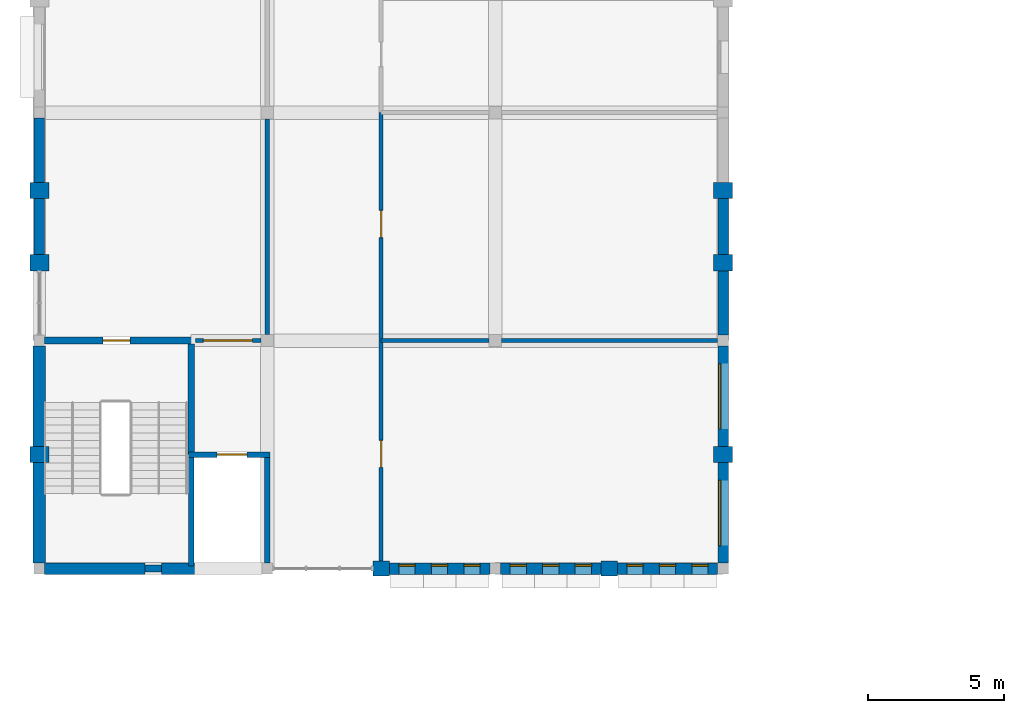
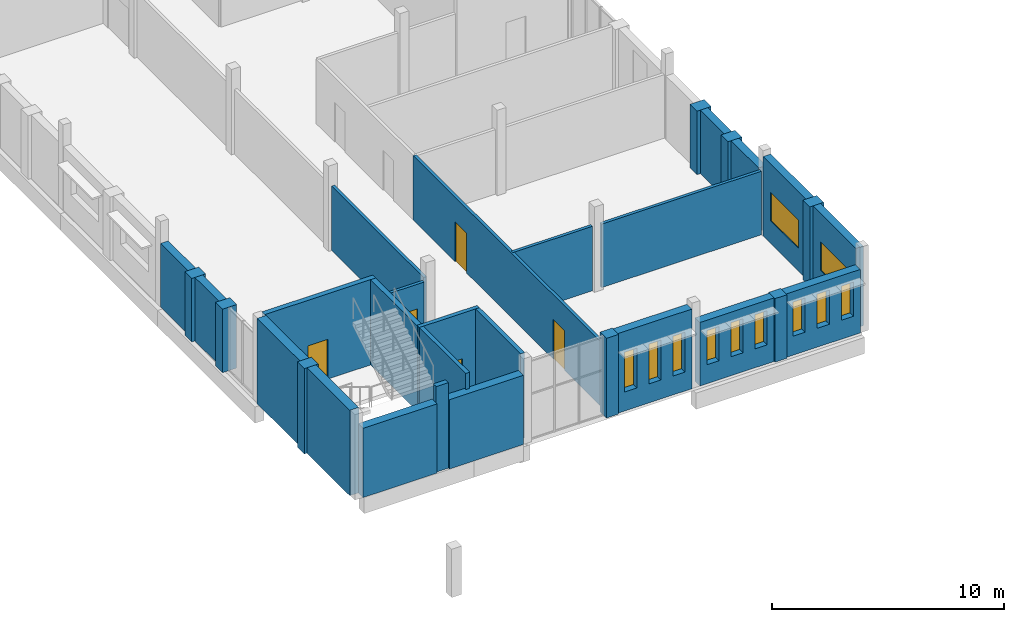
# One storey, part 18 of 30: 32 walls, 11 windows, 5 doors, 16 openings.
"""IFC4 building model written with IfcOpenShell, lengths in metres."""

from ifc_helpers import new_model, si_unit, direction, frame, frame_2d, origin, place, context, subcontext, project, spatial, rectangle, extrude, material, layer, layer_set, type_object, element, fill, save


model = new_model("IFC4")

# Units and contexts
model_context = context("Model", 3, precision=1e-05, world=origin(), true_north=direction((0.0, 1.0)))
body_context = subcontext(model_context, "Body", "Model", "MODEL_VIEW")
ifc_project = project(units=[si_unit("LENGTHUNIT", "METRE"), si_unit("AREAUNIT", "SQUARE_METRE"), si_unit("VOLUMEUNIT", "CUBIC_METRE"), si_unit("PLANEANGLEUNIT", "RADIAN"), si_unit("MASSUNIT", "GRAM", prefix="KILO")], contexts=[model_context])

# Site, building, storey
site_placement = place(None, origin())
site = spatial("IfcSite", under=ifc_project, at=site_placement, CompositionType="ELEMENT")
building_placement = place(site_placement, origin())
building = spatial("IfcBuilding", under=site, at=building_placement, Name="Fescue Hill Polytechnic", CompositionType="ELEMENT")
storey_placement = place(building_placement, frame((0.0, 0.0, 22.5)))
storey = spatial("IfcBuildingStorey", under=building, at=storey_placement, Name="L05", CompositionType="ELEMENT", Elevation=22.5)

# Walls
ifc_material_1 = material(Name="Clay brick masonry", Category="masonry")
ifc_layer_1 = layer(ifc_material_1, 0.550048828125)
ifc_layer_set_1 = layer_set([ifc_layer_1], Name="Clay brick masonry")
wall_type_1 = type_object("IfcWallType", Name="Brick pier 600x550", PredefinedType="SOLIDWALL", material=ifc_layer_set_1)
wall_1_placement = place(storey_placement, frame((12.300048828125, 50.39990234375, 0.0), z_axis=(0.0, 0.0, 1.0), x_axis=(1.0, 0.0, 0.0)))
element("IfcWall", 1, at=wall_1_placement, inside=storey, type_object=wall_type_1, Name="PR-L05-V4-24", PredefinedType="SOLIDWALL", context=body_context, shape_type="SweptSolid", body=[
    extrude(rectangle(XDim=0.599853515625, YDim=0.550048828125, at=frame_2d((0.2998046875, 0.0))), origin(), (0.0, 0.0, 1.0), 4.199951171875),
])
wall_2_placement = place(storey_placement, frame((20.699951171875, 50.39990234375, 0.0), z_axis=(0.0, 0.0, 1.0), x_axis=(1.0, 0.0, 0.0)))
element("IfcWall", 2, at=wall_2_placement, inside=storey, type_object=wall_type_1, Name="PR-L05-V4-25", PredefinedType="SOLIDWALL", context=body_context, shape_type="SweptSolid", body=[
    extrude(rectangle(XDim=0.60009765625, YDim=0.550048828125, at=frame_2d((0.300048828125, 0.0))), origin(), (0.0, 0.0, 1.0), 3.35009765625),
])

# Wall, opening, door
ifc_material_2 = material(Name="Concrete 40 MPa", Category="concrete")
ifc_layer_2 = layer(ifc_material_2, 0.25)
ifc_layer_set_2 = layer_set([ifc_layer_2], Name="Concrete 40 MPa")
wall_type_2 = type_object("IfcWallType", Name="Core wall 250", PredefinedType="SHEAR", material=ifc_layer_set_2)
wall_3_placement = place(storey_placement, frame((0.199951171875, 58.800048828125, 0.0), z_axis=(0.0, 0.0, 1.0), x_axis=(1.0, 0.0, 0.0)))
wall_3 = element("IfcWall", 3, at=wall_3_placement, inside=storey, type_object=wall_type_2, Name="CW-L05-ST-V4-1-21", PredefinedType="SHEAR", context=body_context, shape_type="SweptSolid", body=[
    extrude(rectangle(XDim=5.525146484375, YDim=0.25, at=frame_2d((2.7626953125, 0.0))), origin(), (0.0, 0.0, 1.0), 4.5),
])
opening_1_placement = place(wall_3_placement, frame((2.14990234375, 0.0, 0.0)))
opening_1 = element("IfcOpeningElement", 4, at=opening_1_placement, cuts=wall_3, Name="Opening D5040", PredefinedType="OPENING", context=body_context, shape_type="SweptSolid", body=[
    extrude(rectangle(XDim=1.0, YDim=2.10009765625, at=frame_2d((0.5, 1.050048828125))), frame((0.0, 0.135009765625, 0.0), z_axis=(0.0, -1.0, 0.0), x_axis=(1.0, 0.0, 0.0)), (0.0, 0.0, 1.0), 0.27001953125),
])
ifc_material_3 = material(Name="Steel fire door", Category="steel")
door_type_1 = type_object("IfcDoorType", Name="Door single swing 1000x2100 stair fire rated", OperationType="NOTDEFINED", PredefinedType="DOOR", material=ifc_material_3)
door_1_placement = place(opening_1_placement, origin())
door_1 = element("IfcDoor", 5, at=door_1_placement, inside=storey, type_object=door_type_1, Name="L05 ST-V4-1 stair door", OperationType="SINGLE_SWING_RIGHT", OverallHeight=2.10009765625, OverallWidth=1.0, PredefinedType="DOOR", context=body_context, shape_type="SweptSolid", body=[
    extrude(rectangle(XDim=1.0, YDim=2.10009765625, at=frame_2d((0.5, 1.050048828125))), frame((0.0, 0.02490234375, 0.0), z_axis=(0.0, -1.0, 0.0), x_axis=(1.0, 0.0, 0.0)), (0.0, 0.0, 1.0), 0.050048828125),
])
fill(opening_1, door_1)

# Walls
wall_4_placement = place(storey_placement, frame((5.60009765625, 54.610107421875, 0.0), z_axis=(0.0, 0.0, 1.0), x_axis=(0.0, 1.0, 0.0)))
element("IfcWall", 6, at=wall_4_placement, inside=storey, type_object=wall_type_2, Name="CW-L05-ST-V4-1-41", PredefinedType="SHEAR", context=body_context, shape_type="SweptSolid", body=[
    extrude(rectangle(XDim=4.06494140625, YDim=0.25, at=frame_2d((2.032470703125, 0.0))), origin(), (0.0, 0.0, 1.0), 4.5),
])
wall_5_placement = place(storey_placement, frame((3.89990234375, 50.39990234375, 0.0), z_axis=(0.0, 0.0, 1.0), x_axis=(1.0, 0.0, 0.0)))
element("IfcWall", 7, at=wall_5_placement, inside=storey, type_object=wall_type_2, Name="SCW-L05-ST-V4-1-s1", PredefinedType="SHEAR", context=body_context, shape_type="SweptSolid", body=[
    extrude(rectangle(XDim=0.60009765625, YDim=0.25, at=frame_2d((0.300048828125, 0.0))), origin(), (0.0, 0.0, 1.0), 4.5),
])
ifc_layer_3 = layer(ifc_material_2, 0.449951171875)
ifc_layer_set_3 = layer_set([ifc_layer_3], Name="Concrete 40 MPa")
wall_type_3 = type_object("IfcWallType", Name="Exterior wall board-marked concrete 450 load-bearing", PredefinedType="SOLIDWALL", material=ifc_layer_set_3)
wall_6_placement = place(storey_placement, frame((0.0, 58.60009765625, 0.0), z_axis=(0.0, 0.0, 1.0), x_axis=(0.0, -1.0, 0.0)))
element("IfcWall", 8, at=wall_6_placement, inside=storey, type_object=wall_type_3, Name="EW-L05-V4-35", PredefinedType="SOLIDWALL", context=body_context, shape_type="SweptSolid", body=[
    extrude(rectangle(XDim=3.7001953125, YDim=0.449951171875, at=frame_2d((1.85009765625, 0.0))), origin(), (0.0, 0.0, 1.0), 4.5),
])
wall_7_placement = place(storey_placement, frame((0.0, 54.300048828125, 0.0), z_axis=(0.0, 0.0, 1.0), x_axis=(0.0, -1.0, 0.0)))
element("IfcWall", 9, at=wall_7_placement, inside=storey, type_object=wall_type_3, Name="EW-L05-V4-36", PredefinedType="SOLIDWALL", context=body_context, shape_type="SweptSolid", body=[
    extrude(rectangle(XDim=3.699951171875, YDim=0.449951171875, at=frame_2d((1.85009765625, 0.0))), origin(), (0.0, 0.0, 1.0), 4.5),
])

# Wall, openings, windows
ifc_layer_4 = layer(ifc_material_1, 0.419921875)
ifc_layer_set_4 = layer_set([ifc_layer_4], Name="Clay brick masonry")
wall_type_4 = type_object("IfcWallType", Name="Exterior wall buff-red brick cavity 420", PredefinedType="SOLIDWALL", material=ifc_layer_set_4)
wall_8_placement = place(storey_placement, frame((12.89990234375, 50.39990234375, 0.0), z_axis=(0.0, 0.0, 1.0), x_axis=(1.0, 0.0, 0.0)))
wall_8 = element("IfcWall", 10, at=wall_8_placement, inside=storey, type_object=wall_type_4, Name="EW-L05-V4-40", PredefinedType="SOLIDWALL", context=body_context, shape_type="SweptSolid", body=[
    extrude(rectangle(XDim=3.7001953125, YDim=0.419921875, at=frame_2d((1.85009765625, 0.0))), origin(), (0.0, 0.0, 1.0), 4.199951171875),
])
opening_2_placement = place(wall_8_placement, frame((0.35009765625, 0.0, 1.0)))
opening_2 = element("IfcOpeningElement", 11, at=opening_2_placement, cuts=wall_8, Name="Opening W6", PredefinedType="OPENING", context=body_context, shape_type="SweptSolid", body=[
    extrude(rectangle(XDim=0.60009765625, YDim=2.10009765625, at=frame_2d((0.300048828125, 1.050048828125))), frame((0.0, 0.219970703125, 0.0), z_axis=(0.0, -1.0, 0.0), x_axis=(1.0, 0.0, 0.0)), (0.0, 0.0, 1.0), 0.43994140625),
])
opening_3_placement = place(wall_8_placement, frame((1.550048828125, 0.0, 1.0)))
opening_3 = element("IfcOpeningElement", 12, at=opening_3_placement, cuts=wall_8, Name="Opening W6", PredefinedType="OPENING", context=body_context, shape_type="SweptSolid", body=[
    extrude(rectangle(XDim=0.60009765625, YDim=2.10009765625, at=frame_2d((0.300048828125, 1.050048828125))), frame((0.0, 0.219970703125, 0.0), z_axis=(0.0, -1.0, 0.0), x_axis=(1.0, 0.0, 0.0)), (0.0, 0.0, 1.0), 0.43994140625),
])
opening_4_placement = place(wall_8_placement, frame((2.75, 0.0, 1.0)))
opening_4 = element("IfcOpeningElement", 13, at=opening_4_placement, cuts=wall_8, Name="Opening W6", PredefinedType="OPENING", context=body_context, shape_type="SweptSolid", body=[
    extrude(rectangle(XDim=0.60009765625, YDim=2.10009765625, at=frame_2d((0.300048828125, 1.050048828125))), frame((0.0, 0.219970703125, 0.0), z_axis=(0.0, -1.0, 0.0), x_axis=(1.0, 0.0, 0.0)), (0.0, 0.0, 1.0), 0.43994140625),
])
ifc_material_4 = material(Name="Powder-coated aluminium and glass", Category="aluminium")
window_type_1 = type_object("IfcWindowType", Name="Window slot 600x2100", PartitioningType="SINGLE_PANEL", PredefinedType="WINDOW", material=ifc_material_4)
window_1_placement = place(opening_2_placement, origin())
window_1 = element("IfcWindow", 14, at=window_1_placement, inside=storey, type_object=window_type_1, Name="WN-L05-V4-13", OverallHeight=2.10009765625, OverallWidth=0.60009765625, PartitioningType="SINGLE_PANEL", PredefinedType="WINDOW", context=body_context, shape_type="SweptSolid", body=[
    extrude(rectangle(XDim=0.60009765625, YDim=2.10009765625, at=frame_2d((0.300048828125, 1.050048828125))), frame((0.0, 0.150146484375, 0.0), z_axis=(0.0, -1.0, 0.0), x_axis=(1.0, 0.0, 0.0)), (0.0, 0.0, 1.0), 0.06005859375),
])
fill(opening_2, window_1)
window_2_placement = place(opening_3_placement, origin())
window_2 = element("IfcWindow", 15, at=window_2_placement, inside=storey, type_object=window_type_1, Name="WN-L05-V4-14", OverallHeight=2.10009765625, OverallWidth=0.60009765625, PartitioningType="SINGLE_PANEL", PredefinedType="WINDOW", context=body_context, shape_type="SweptSolid", body=[
    extrude(rectangle(XDim=0.60009765625, YDim=2.10009765625, at=frame_2d((0.300048828125, 1.050048828125))), frame((0.0, 0.150146484375, 0.0), z_axis=(0.0, -1.0, 0.0), x_axis=(1.0, 0.0, 0.0)), (0.0, 0.0, 1.0), 0.06005859375),
])
fill(opening_3, window_2)
window_3_placement = place(opening_4_placement, origin())
window_3 = element("IfcWindow", 16, at=window_3_placement, inside=storey, type_object=window_type_1, Name="WN-L05-V4-15", OverallHeight=2.10009765625, OverallWidth=0.60009765625, PartitioningType="SINGLE_PANEL", PredefinedType="WINDOW", context=body_context, shape_type="SweptSolid", body=[
    extrude(rectangle(XDim=0.60009765625, YDim=2.10009765625, at=frame_2d((0.300048828125, 1.050048828125))), frame((0.0, 0.150146484375, 0.0), z_axis=(0.0, -1.0, 0.0), x_axis=(1.0, 0.0, 0.0)), (0.0, 0.0, 1.0), 0.06005859375),
])
fill(opening_4, window_3)

wall_9_placement = place(storey_placement, frame((17.0, 50.39990234375, 0.0), z_axis=(0.0, 0.0, 1.0), x_axis=(1.0, 0.0, 0.0)))
wall_9 = element("IfcWall", 17, at=wall_9_placement, inside=storey, type_object=wall_type_4, Name="EW-L05-V4-41", PredefinedType="SOLIDWALL", context=body_context, shape_type="SweptSolid", body=[
    extrude(rectangle(XDim=3.699951171875, YDim=0.419921875, at=frame_2d((1.85009765625, 0.0))), origin(), (0.0, 0.0, 1.0), 3.35009765625),
])
opening_5_placement = place(wall_9_placement, frame((0.35009765625, 0.0, 1.0)))
opening_5 = element("IfcOpeningElement", 18, at=opening_5_placement, cuts=wall_9, Name="Opening W6R", PredefinedType="OPENING", context=body_context, shape_type="SweptSolid", body=[
    extrude(rectangle(XDim=0.60009765625, YDim=1.800048828125, at=frame_2d((0.300048828125, 0.89990234375))), frame((0.0, 0.219970703125, 0.0), z_axis=(0.0, -1.0, 0.0), x_axis=(1.0, 0.0, 0.0)), (0.0, 0.0, 1.0), 0.43994140625),
])
opening_6_placement = place(wall_9_placement, frame((1.550048828125, 0.0, 1.0)))
opening_6 = element("IfcOpeningElement", 19, at=opening_6_placement, cuts=wall_9, Name="Opening W6R", PredefinedType="OPENING", context=body_context, shape_type="SweptSolid", body=[
    extrude(rectangle(XDim=0.60009765625, YDim=1.800048828125, at=frame_2d((0.300048828125, 0.89990234375))), frame((0.0, 0.219970703125, 0.0), z_axis=(0.0, -1.0, 0.0), x_axis=(1.0, 0.0, 0.0)), (0.0, 0.0, 1.0), 0.43994140625),
])
opening_7_placement = place(wall_9_placement, frame((2.75, 0.0, 1.0)))
opening_7 = element("IfcOpeningElement", 20, at=opening_7_placement, cuts=wall_9, Name="Opening W6R", PredefinedType="OPENING", context=body_context, shape_type="SweptSolid", body=[
    extrude(rectangle(XDim=0.60009765625, YDim=1.800048828125, at=frame_2d((0.300048828125, 0.89990234375))), frame((0.0, 0.219970703125, 0.0), z_axis=(0.0, -1.0, 0.0), x_axis=(1.0, 0.0, 0.0)), (0.0, 0.0, 1.0), 0.43994140625),
])
window_type_2 = type_object("IfcWindowType", Name="Window slot 600x1800", PartitioningType="SINGLE_PANEL", PredefinedType="WINDOW", material=ifc_material_4)
window_4_placement = place(opening_5_placement, origin())
window_4 = element("IfcWindow", 21, at=window_4_placement, inside=storey, type_object=window_type_2, Name="WN-L05-V4-16", OverallHeight=1.800048828125, OverallWidth=0.60009765625, PartitioningType="SINGLE_PANEL", PredefinedType="WINDOW", context=body_context, shape_type="SweptSolid", body=[
    extrude(rectangle(XDim=0.60009765625, YDim=1.800048828125, at=frame_2d((0.300048828125, 0.89990234375))), frame((0.0, 0.150146484375, 0.0), z_axis=(0.0, -1.0, 0.0), x_axis=(1.0, 0.0, 0.0)), (0.0, 0.0, 1.0), 0.06005859375),
])
fill(opening_5, window_4)
window_5_placement = place(opening_6_placement, origin())
window_5 = element("IfcWindow", 22, at=window_5_placement, inside=storey, type_object=window_type_2, Name="WN-L05-V4-17", OverallHeight=1.800048828125, OverallWidth=0.60009765625, PartitioningType="SINGLE_PANEL", PredefinedType="WINDOW", context=body_context, shape_type="SweptSolid", body=[
    extrude(rectangle(XDim=0.60009765625, YDim=1.800048828125, at=frame_2d((0.300048828125, 0.89990234375))), frame((0.0, 0.150146484375, 0.0), z_axis=(0.0, -1.0, 0.0), x_axis=(1.0, 0.0, 0.0)), (0.0, 0.0, 1.0), 0.06005859375),
])
fill(opening_6, window_5)
window_6_placement = place(opening_7_placement, origin())
window_6 = element("IfcWindow", 23, at=window_6_placement, inside=storey, type_object=window_type_2, Name="WN-L05-V4-18", OverallHeight=1.800048828125, OverallWidth=0.60009765625, PartitioningType="SINGLE_PANEL", PredefinedType="WINDOW", context=body_context, shape_type="SweptSolid", body=[
    extrude(rectangle(XDim=0.60009765625, YDim=1.800048828125, at=frame_2d((0.300048828125, 0.89990234375))), frame((0.0, 0.150146484375, 0.0), z_axis=(0.0, -1.0, 0.0), x_axis=(1.0, 0.0, 0.0)), (0.0, 0.0, 1.0), 0.06005859375),
])
fill(opening_7, window_6)

wall_10_placement = place(storey_placement, frame((21.300048828125, 50.39990234375, 0.0), z_axis=(0.0, 0.0, 1.0), x_axis=(1.0, 0.0, 0.0)))
wall_10 = element("IfcWall", 24, at=wall_10_placement, inside=storey, type_object=wall_type_4, Name="EW-L05-V4-42", PredefinedType="SOLIDWALL", context=body_context, shape_type="SweptSolid", body=[
    extrude(rectangle(XDim=3.699951171875, YDim=0.419921875, at=frame_2d((1.85009765625, 0.0))), origin(), (0.0, 0.0, 1.0), 3.35009765625),
])
opening_8_placement = place(wall_10_placement, frame((0.35009765625, 0.0, 1.0)))
opening_8 = element("IfcOpeningElement", 25, at=opening_8_placement, cuts=wall_10, Name="Opening W6R", PredefinedType="OPENING", context=body_context, shape_type="SweptSolid", body=[
    extrude(rectangle(XDim=0.60009765625, YDim=1.800048828125, at=frame_2d((0.300048828125, 0.89990234375))), frame((0.0, 0.219970703125, 0.0), z_axis=(0.0, -1.0, 0.0), x_axis=(1.0, 0.0, 0.0)), (0.0, 0.0, 1.0), 0.43994140625),
])
opening_9_placement = place(wall_10_placement, frame((1.550048828125, 0.0, 1.0)))
opening_9 = element("IfcOpeningElement", 26, at=opening_9_placement, cuts=wall_10, Name="Opening W6R", PredefinedType="OPENING", context=body_context, shape_type="SweptSolid", body=[
    extrude(rectangle(XDim=0.60009765625, YDim=1.800048828125, at=frame_2d((0.300048828125, 0.89990234375))), frame((0.0, 0.219970703125, 0.0), z_axis=(0.0, -1.0, 0.0), x_axis=(1.0, 0.0, 0.0)), (0.0, 0.0, 1.0), 0.43994140625),
])
opening_10_placement = place(wall_10_placement, frame((2.75, 0.0, 1.0)))
opening_10 = element("IfcOpeningElement", 27, at=opening_10_placement, cuts=wall_10, Name="Opening W6R", PredefinedType="OPENING", context=body_context, shape_type="SweptSolid", body=[
    extrude(rectangle(XDim=0.60009765625, YDim=1.800048828125, at=frame_2d((0.300048828125, 0.89990234375))), frame((0.0, 0.219970703125, 0.0), z_axis=(0.0, -1.0, 0.0), x_axis=(1.0, 0.0, 0.0)), (0.0, 0.0, 1.0), 0.43994140625),
])
window_7_placement = place(opening_8_placement, origin())
window_7 = element("IfcWindow", 28, at=window_7_placement, inside=storey, type_object=window_type_2, Name="WN-L05-V4-19", OverallHeight=1.800048828125, OverallWidth=0.60009765625, PartitioningType="SINGLE_PANEL", PredefinedType="WINDOW", context=body_context, shape_type="SweptSolid", body=[
    extrude(rectangle(XDim=0.60009765625, YDim=1.800048828125, at=frame_2d((0.300048828125, 0.89990234375))), frame((0.0, 0.150146484375, 0.0), z_axis=(0.0, -1.0, 0.0), x_axis=(1.0, 0.0, 0.0)), (0.0, 0.0, 1.0), 0.06005859375),
])
fill(opening_8, window_7)
window_8_placement = place(opening_9_placement, origin())
window_8 = element("IfcWindow", 29, at=window_8_placement, inside=storey, type_object=window_type_2, Name="WN-L05-V4-20", OverallHeight=1.800048828125, OverallWidth=0.60009765625, PartitioningType="SINGLE_PANEL", PredefinedType="WINDOW", context=body_context, shape_type="SweptSolid", body=[
    extrude(rectangle(XDim=0.60009765625, YDim=1.800048828125, at=frame_2d((0.300048828125, 0.89990234375))), frame((0.0, 0.150146484375, 0.0), z_axis=(0.0, -1.0, 0.0), x_axis=(1.0, 0.0, 0.0)), (0.0, 0.0, 1.0), 0.06005859375),
])
fill(opening_9, window_8)
window_9_placement = place(opening_10_placement, origin())
window_9 = element("IfcWindow", 30, at=window_9_placement, inside=storey, type_object=window_type_2, Name="WN-L05-V4-21", OverallHeight=1.800048828125, OverallWidth=0.60009765625, PartitioningType="SINGLE_PANEL", PredefinedType="WINDOW", context=body_context, shape_type="SweptSolid", body=[
    extrude(rectangle(XDim=0.60009765625, YDim=1.800048828125, at=frame_2d((0.300048828125, 0.89990234375))), frame((0.0, 0.150146484375, 0.0), z_axis=(0.0, -1.0, 0.0), x_axis=(1.0, 0.0, 0.0)), (0.0, 0.0, 1.0), 0.06005859375),
])
fill(opening_10, window_9)

# Walls
ifc_layer_5 = layer(ifc_material_1, 0.419921875)
ifc_layer_set_5 = layer_set([ifc_layer_5], Name="Clay brick masonry")
wall_type_5 = type_object("IfcWallType", Name="Exterior wall buff-red brick cavity 420 load-bearing", PredefinedType="SOLIDWALL", material=ifc_layer_set_5)
for number, where, z_axis, x_axis, name in (
    (31, (0.199951171875, 50.39990234375, 0.0), (0.0, 0.0, 1.0), (1.0, 0.0, 0.0), "EW-L05-V4-37"),
    (32, (4.5, 50.39990234375, 0.0), (0.0, 0.0, 1.0), (1.0, 0.0, 0.0), "EW-L05-V4-38"),
):
    element("IfcWall", number, at=place(storey_placement, frame(where, z_axis=z_axis, x_axis=x_axis)), inside=storey, type_object=wall_type_5, Name=name, PredefinedType="SOLIDWALL", context=body_context, shape_type="SweptSolid", body=[
        extrude(rectangle(XDim=3.699951171875, YDim=0.419921875, at=frame_2d((1.85009765625, 0.0))), origin(), (0.0, 0.0, 1.0), 3.64990234375),
    ])

# Wall, opening, window
ifc_material_5 = material(Name="Terracotta rainscreen on concrete block", Category="masonry")
ifc_layer_6 = layer(ifc_material_5, 0.3798828125)
ifc_layer_set_6 = layer_set([ifc_layer_6], Name="Terracotta rainscreen on concrete block")
wall_type_6 = type_object("IfcWallType", Name="Exterior wall rainscreen terracotta on blockwork 380", PredefinedType="SOLIDWALL", material=ifc_layer_set_6)
wall_11_placement = place(storey_placement, frame((25.199951171875, 50.60009765625, 0.0), z_axis=(0.0, 0.0, 1.0), x_axis=(0.0, 1.0, 0.0)))
wall_11 = element("IfcWall", 33, at=wall_11_placement, inside=storey, type_object=wall_type_6, Name="EW-L05-V4-1", PredefinedType="SOLIDWALL", context=body_context, shape_type="SweptSolid", body=[
    extrude(rectangle(XDim=3.699951171875, YDim=0.3798828125, at=frame_2d((1.85009765625, 0.0))), origin(), (0.0, 0.0, 1.0), 4.199951171875),
])
opening_11_placement = place(wall_11_placement, frame((0.64990234375, 0.0, 1.199951171875)))
opening_11 = element("IfcOpeningElement", 34, at=opening_11_placement, cuts=wall_11, Name="Opening W3", PredefinedType="OPENING", context=body_context, shape_type="SweptSolid", body=[
    extrude(rectangle(XDim=2.39990234375, YDim=1.5, at=frame_2d((1.199951171875, 0.75))), frame((0.0, 0.199951171875, 0.0), z_axis=(0.0, -1.0, 0.0), x_axis=(1.0, 0.0, 0.0)), (0.0, 0.0, 1.0), 0.39990234375),
])
window_type_3 = type_object("IfcWindowType", Name="Window laboratory strip 2400x1500", PartitioningType="TRIPLE_PANEL_VERTICAL", PredefinedType="WINDOW", material=ifc_material_4)
window_10_placement = place(opening_11_placement, origin())
window_10 = element("IfcWindow", 35, at=window_10_placement, inside=storey, type_object=window_type_3, Name="WN-L05-V4-1", OverallHeight=1.5, OverallWidth=2.39990234375, PartitioningType="SINGLE_PANEL", PredefinedType="WINDOW", context=body_context, shape_type="SweptSolid", body=[
    extrude(rectangle(XDim=2.39990234375, YDim=1.5, at=frame_2d((1.199951171875, 0.75))), frame((0.0, 0.150146484375, 0.0), z_axis=(0.0, -1.0, 0.0), x_axis=(1.0, 0.0, 0.0)), (0.0, 0.0, 1.0), 0.06005859375),
])
fill(opening_11, window_10)

wall_12_placement = place(storey_placement, frame((25.199951171875, 54.89990234375, 0.0), z_axis=(0.0, 0.0, 1.0), x_axis=(0.0, 1.0, 0.0)))
wall_12 = element("IfcWall", 36, at=wall_12_placement, inside=storey, type_object=wall_type_6, Name="EW-L05-V4-2", PredefinedType="SOLIDWALL", context=body_context, shape_type="SweptSolid", body=[
    extrude(rectangle(XDim=3.7001953125, YDim=0.3798828125, at=frame_2d((1.85009765625, 0.0))), origin(), (0.0, 0.0, 1.0), 4.199951171875),
])
opening_12_placement = place(wall_12_placement, frame((0.64990234375, 0.0, 1.199951171875)))
opening_12 = element("IfcOpeningElement", 37, at=opening_12_placement, cuts=wall_12, Name="Opening W3", PredefinedType="OPENING", context=body_context, shape_type="SweptSolid", body=[
    extrude(rectangle(XDim=2.39990234375, YDim=1.5, at=frame_2d((1.199951171875, 0.75))), frame((0.0, 0.199951171875, 0.0), z_axis=(0.0, -1.0, 0.0), x_axis=(1.0, 0.0, 0.0)), (0.0, 0.0, 1.0), 0.39990234375),
])
window_11_placement = place(opening_12_placement, origin())
window_11 = element("IfcWindow", 38, at=window_11_placement, inside=storey, type_object=window_type_3, Name="WN-L05-V4-2", OverallHeight=1.5, OverallWidth=2.39990234375, PartitioningType="SINGLE_PANEL", PredefinedType="WINDOW", context=body_context, shape_type="SweptSolid", body=[
    extrude(rectangle(XDim=2.39990234375, YDim=1.5, at=frame_2d((1.199951171875, 0.75))), frame((0.0, 0.150146484375, 0.0), z_axis=(0.0, -1.0, 0.0), x_axis=(1.0, 0.0, 0.0)), (0.0, 0.0, 1.0), 0.06005859375),
])
fill(opening_12, window_11)

# Walls
wall_13_placement = place(storey_placement, frame((25.199951171875, 59.0, 0.0), z_axis=(0.0, 0.0, 1.0), x_axis=(0.0, 1.0, 0.0)))
element("IfcWall", 39, at=wall_13_placement, inside=storey, type_object=wall_type_6, Name="EW-L05-V4-3", PredefinedType="SOLIDWALL", context=body_context, shape_type="SweptSolid", body=[
    extrude(rectangle(XDim=2.36669921875, YDim=0.3798828125, at=frame_2d((1.183349609375, 0.0))), origin(), (0.0, 0.0, 1.0), 3.35009765625),
])
wall_14_placement = place(storey_placement, frame((25.199951171875, 61.966796875, 0.0), z_axis=(0.0, 0.0, 1.0), x_axis=(0.0, 1.0, 0.0)))
element("IfcWall", 40, at=wall_14_placement, inside=storey, type_object=wall_type_6, Name="EW-L05-V4-4", PredefinedType="SOLIDWALL", context=body_context, shape_type="SweptSolid", body=[
    extrude(rectangle(XDim=2.06640625, YDim=0.3798828125, at=frame_2d((1.033203125, 0.0))), origin(), (0.0, 0.0, 1.0), 3.35009765625),
])
wall_15_placement = place(storey_placement, frame((0.0, 67.0, 0.0), z_axis=(0.0, 0.0, 1.0), x_axis=(0.0, -1.0, 0.0)))
element("IfcWall", 41, at=wall_15_placement, inside=storey, type_object=wall_type_6, Name="EW-L05-V4-32", PredefinedType="SOLIDWALL", context=body_context, shape_type="SweptSolid", body=[
    extrude(rectangle(XDim=2.36669921875, YDim=0.3798828125, at=frame_2d((1.183349609375, 0.0))), origin(), (0.0, 0.0, 1.0), 3.35009765625),
])
wall_16_placement = place(storey_placement, frame((0.0, 64.033203125, 0.0), z_axis=(0.0, 0.0, 1.0), x_axis=(0.0, -1.0, 0.0)))
element("IfcWall", 42, at=wall_16_placement, inside=storey, type_object=wall_type_6, Name="EW-L05-V4-33", PredefinedType="SOLIDWALL", context=body_context, shape_type="SweptSolid", body=[
    extrude(rectangle(XDim=2.06640625, YDim=0.3798828125, at=frame_2d((1.033203125, 0.0))), origin(), (0.0, 0.0, 1.0), 3.35009765625),
])
ifc_layer_7 = layer(ifc_material_2, 0.699951171875)
ifc_layer_set_7 = layer_set([ifc_layer_7], Name="Concrete 40 MPa")
wall_type_7 = type_object("IfcWallType", Name="Fin wall board-marked 600x700", PredefinedType="SOLIDWALL", material=ifc_layer_set_7)
wall_17_placement = place(storey_placement, frame((25.199951171875, 54.300048828125, 0.0), z_axis=(0.0, 0.0, 1.0), x_axis=(0.0, 1.0, 0.0)))
element("IfcWall", 43, at=wall_17_placement, inside=storey, type_object=wall_type_7, Name="PR-L05-V4-1", PredefinedType="SOLIDWALL", context=body_context, shape_type="SweptSolid", body=[
    extrude(rectangle(XDim=0.599853515625, YDim=0.699951171875, at=frame_2d((0.2998046875, 0.0))), origin(), (0.0, 0.0, 1.0), 4.199951171875),
])
for number, where, z_axis, x_axis, name in (
    (44, (25.199951171875, 61.36669921875, 0.0), (0.0, 0.0, 1.0), (0.0, 1.0, 0.0), "PR-L05-V4-2"),
    (45, (25.199951171875, 64.033203125, 0.0), (0.0, 0.0, 1.0), (0.0, 1.0, 0.0), "PR-L05-V4-3"),
    (46, (0.0, 64.63330078125, 0.0), (0.0, 0.0, 1.0), (0.0, -1.0, 0.0), "PR-L05-V4-20"),
    (47, (0.0, 61.966796875, 0.0), (0.0, 0.0, 1.0), (0.0, -1.0, 0.0), "PR-L05-V4-21"),
):
    element("IfcWall", number, at=place(storey_placement, frame(where, z_axis=z_axis, x_axis=x_axis)), inside=storey, type_object=wall_type_7, Name=name, PredefinedType="SOLIDWALL", context=body_context, shape_type="SweptSolid", body=[
        extrude(rectangle(XDim=0.60009765625, YDim=0.699951171875, at=frame_2d((0.300048828125, 0.0))), origin(), (0.0, 0.0, 1.0), 3.35009765625),
    ])
wall_18_placement = place(storey_placement, frame((0.0, 54.89990234375, 0.0), z_axis=(0.0, 0.0, 1.0), x_axis=(0.0, -1.0, 0.0)))
element("IfcWall", 48, at=wall_18_placement, inside=storey, type_object=wall_type_7, Name="PR-L05-V4-22", PredefinedType="SOLIDWALL", context=body_context, shape_type="SweptSolid", body=[
    extrude(rectangle(XDim=0.599853515625, YDim=0.699951171875, at=frame_2d((0.2998046875, 0.0))), origin(), (0.0, 0.0, 1.0), 4.5),
])
ifc_material_6 = material(Name="Concrete masonry block 15 MPa", Category="masonry")
ifc_layer_8 = layer(ifc_material_6, 0.14990234375)
ifc_layer_set_8 = layer_set([ifc_layer_8], Name="Concrete masonry block 15 MPa")
wall_type_8 = type_object("IfcWallType", Name="Laboratory wall 150 block EI 60", PredefinedType="PARTITIONING", material=ifc_layer_set_8)
wall_19_placement = place(storey_placement, frame((12.60009765625, 58.800048828125, 0.0), z_axis=(0.0, 0.0, 1.0), x_axis=(1.0, 0.0, 0.0)))
element("IfcWall", 49, at=wall_19_placement, inside=storey, type_object=wall_type_8, Name="IW-L05-001", PredefinedType="PARTITIONING", context=body_context, shape_type="SweptSolid", body=[
    extrude(rectangle(XDim=3.974853515625, YDim=0.14990234375, at=frame_2d((1.9873046875, 0.0))), origin(), (0.0, 0.0, 1.0), 3.39990234375),
])
wall_20_placement = place(storey_placement, frame((17.02490234375, 58.800048828125, 0.0), z_axis=(0.0, 0.0, 1.0), x_axis=(1.0, 0.0, 0.0)))
element("IfcWall", 50, at=wall_20_placement, inside=storey, type_object=wall_type_8, Name="IW-L05-002", PredefinedType="PARTITIONING", context=body_context, shape_type="SweptSolid", body=[
    extrude(rectangle(XDim=7.97509765625, YDim=0.14990234375, at=frame_2d((3.987548828125, 0.0))), origin(), (0.0, 0.0, 1.0), 3.35009765625),
])
wall_21_placement = place(storey_placement, frame((8.39990234375, 59.02490234375, 0.0), z_axis=(0.0, 0.0, 1.0), x_axis=(0.0, 1.0, 0.0)))
element("IfcWall", 51, at=wall_21_placement, inside=storey, type_object=wall_type_8, Name="IW-L05-041", PredefinedType="PARTITIONING", context=body_context, shape_type="SweptSolid", body=[
    extrude(rectangle(XDim=7.9501953125, YDim=0.14990234375, at=frame_2d((3.97509765625, 0.0))), origin(), (0.0, 0.0, 1.0), 3.39990234375),
])

# Wall, openings, doors
wall_22_placement = place(storey_placement, frame((12.60009765625, 50.675048828125, 0.0), z_axis=(0.0, 0.0, 1.0), x_axis=(0.0, 1.0, 0.0)))
wall_22 = element("IfcWall", 52, at=wall_22_placement, inside=storey, type_object=wall_type_8, Name="IW-L05-052", PredefinedType="PARTITIONING", context=body_context, shape_type="SweptSolid", body=[
    extrude(rectangle(XDim=16.52490234375, YDim=0.14990234375, at=frame_2d((8.262451171875, 0.0))), origin(), (0.0, 0.0, 1.0), 3.39990234375),
])
opening_13_placement = place(wall_22_placement, frame((3.449951171875, 0.0, 0.0)))
opening_13 = element("IfcOpeningElement", 53, at=opening_13_placement, cuts=wall_22, Name="Opening D5009", PredefinedType="OPENING", context=body_context, shape_type="SweptSolid", body=[
    extrude(rectangle(XDim=1.0, YDim=2.10009765625, at=frame_2d((0.5, 1.050048828125))), frame((0.0, 0.0849609375, 0.0), z_axis=(0.0, -1.0, 0.0), x_axis=(1.0, 0.0, 0.0)), (0.0, 0.0, 1.0), 0.169921875),
])
opening_14_placement = place(wall_22_placement, frame((11.925048828125, 0.0, 0.0)))
opening_14 = element("IfcOpeningElement", 54, at=opening_14_placement, cuts=wall_22, Name="Opening D5010", PredefinedType="OPENING", context=body_context, shape_type="SweptSolid", body=[
    extrude(rectangle(XDim=1.0, YDim=2.10009765625, at=frame_2d((0.5, 1.050048828125))), frame((0.0, 0.0849609375, 0.0), z_axis=(0.0, -1.0, 0.0), x_axis=(1.0, 0.0, 0.0)), (0.0, 0.0, 1.0), 0.169921875),
])
ifc_material_7 = material(Name="Steel", Category="steel")
door_type_2 = type_object("IfcDoorType", Name="Door single swing 1000x2100 FD60", OperationType="SINGLE_SWING_LEFT", PredefinedType="DOOR", material=ifc_material_7)
door_2_placement = place(opening_13_placement, origin())
door_2 = element("IfcDoor", 55, at=door_2_placement, inside=storey, type_object=door_type_2, Name="Door D5009", OperationType="SINGLE_SWING_LEFT", OverallHeight=2.10009765625, OverallWidth=1.0, PredefinedType="DOOR", context=body_context, shape_type="SweptSolid", body=[
    extrude(rectangle(XDim=1.0, YDim=2.10009765625, at=frame_2d((0.5, 1.050048828125))), frame((0.0, 0.02490234375, 0.0), z_axis=(0.0, -1.0, 0.0), x_axis=(1.0, 0.0, 0.0)), (0.0, 0.0, 1.0), 0.050048828125),
])
fill(opening_13, door_2)
door_3_placement = place(opening_14_placement, origin())
door_3 = element("IfcDoor", 56, at=door_3_placement, inside=storey, type_object=door_type_2, Name="Door D5010", OperationType="SINGLE_SWING_RIGHT", OverallHeight=2.10009765625, OverallWidth=1.0, PredefinedType="DOOR", context=body_context, shape_type="SweptSolid", body=[
    extrude(rectangle(XDim=1.0, YDim=2.10009765625, at=frame_2d((0.5, 1.050048828125))), frame((0.0, 0.02490234375, 0.0), z_axis=(0.0, -1.0, 0.0), x_axis=(1.0, 0.0, 0.0)), (0.0, 0.0, 1.0), 0.050048828125),
])
fill(opening_14, door_3)

# Wall, opening, door
ifc_layer_9 = layer(ifc_material_2, 0.199951171875)
ifc_layer_set_9 = layer_set([ifc_layer_9], Name="Concrete 40 MPa")
wall_type_9 = type_object("IfcWallType", Name="Lift shaft wall 200", PredefinedType="SHEAR", material=ifc_layer_set_9)
wall_23_placement = place(storey_placement, frame((5.5, 54.60009765625, 0.0), z_axis=(0.0, 0.0, 1.0), x_axis=(1.0, 0.0, 0.0)))
wall_23 = element("IfcWall", 57, at=wall_23_placement, inside=storey, type_object=wall_type_9, Name="CW-L05-LF-V4-1-21", PredefinedType="SHEAR", context=body_context, shape_type="SweptSolid", body=[
    extrude(rectangle(XDim=3.0, YDim=0.199951171875, at=frame_2d((1.5, 0.0))), origin(), (0.0, 0.0, 1.0), 4.5),
])
opening_15_placement = place(wall_23_placement, frame((1.050048828125, 0.0, 0.0)))
opening_15 = element("IfcOpeningElement", 58, at=opening_15_placement, cuts=wall_23, Name="Opening LD4-L05", PredefinedType="OPENING", context=body_context, shape_type="SweptSolid", body=[
    extrude(rectangle(XDim=1.10009765625, YDim=2.10009765625, at=frame_2d((0.550048828125, 1.050048828125))), frame((0.0, 0.10986328125, 0.0), z_axis=(0.0, -1.0, 0.0), x_axis=(1.0, 0.0, 0.0)), (0.0, 0.0, 1.0), 0.219970703125),
])
ifc_material_8 = material(Name="Stainless steel", Category="steel")
door_type_3 = type_object("IfcDoorType", Name="Lift landing door sliding 1100x2100", OperationType="SLIDING_TO_LEFT", PredefinedType="DOOR", material=ifc_material_8)
door_4_placement = place(opening_15_placement, origin())
door_4 = element("IfcDoor", 59, at=door_4_placement, inside=storey, type_object=door_type_3, Name="L05 LF-V4-1 lift landing door", OperationType="SLIDING_TO_RIGHT", OverallHeight=2.10009765625, OverallWidth=1.10009765625, PredefinedType="DOOR", context=body_context, shape_type="SweptSolid", body=[
    extrude(rectangle(XDim=1.10009765625, YDim=2.10009765625, at=frame_2d((0.550048828125, 1.050048828125))), frame((0.0, 0.02490234375, 0.0), z_axis=(0.0, -1.0, 0.0), x_axis=(1.0, 0.0, 0.0)), (0.0, 0.0, 1.0), 0.050048828125),
])
fill(opening_15, door_4)

# Walls
wall_24_placement = place(storey_placement, frame((5.60009765625, 50.5, 0.0), z_axis=(0.0, 0.0, 1.0), x_axis=(0.0, 1.0, 0.0)))
element("IfcWall", 60, at=wall_24_placement, inside=storey, type_object=wall_type_9, Name="CW-L05-LF-V4-1-31", PredefinedType="SHEAR", context=body_context, shape_type="SweptSolid", body=[
    extrude(rectangle(XDim=4.0, YDim=0.199951171875, at=frame_2d((2.0, 0.0))), origin(), (0.0, 0.0, 1.0), 4.5),
])
wall_25_placement = place(storey_placement, frame((8.39990234375, 50.60009765625, 0.0), z_axis=(0.0, 0.0, 1.0), x_axis=(0.0, 1.0, 0.0)))
element("IfcWall", 61, at=wall_25_placement, inside=storey, type_object=wall_type_9, Name="CW-L05-LF-V4-1-41", PredefinedType="SHEAR", context=body_context, shape_type="SweptSolid", body=[
    extrude(rectangle(XDim=3.89990234375, YDim=0.199951171875, at=frame_2d((1.949951171875, 0.0))), origin(), (0.0, 0.0, 1.0), 4.5),
])

# Wall, opening, door
ifc_material_9 = material(Name="Gypsum board partition")
ifc_layer_10 = layer(ifc_material_9, 0.14990234375)
ifc_layer_set_10 = layer_set([ifc_layer_10], Name="Gypsum board partition")
wall_type_10 = type_object("IfcWallType", Name="Lobby wall 150 EI 60", PredefinedType="PARTITIONING", material=ifc_layer_set_10)
wall_26_placement = place(storey_placement, frame((5.75, 58.800048828125, 0.0), z_axis=(0.0, 0.0, 1.0), x_axis=(1.0, 0.0, 0.0)))
wall_26 = element("IfcWall", 62, at=wall_26_placement, inside=storey, type_object=wall_type_10, Name="IW-L05-003", PredefinedType="PARTITIONING", context=body_context, shape_type="SweptSolid", body=[
    extrude(rectangle(XDim=2.425048828125, YDim=0.14990234375, at=frame_2d((1.21240234375, 0.0))), origin(), (0.0, 0.0, 1.0), 3.39990234375),
])
opening_16_placement = place(wall_26_placement, frame((0.300048828125, 0.0, 0.0)))
opening_16 = element("IfcOpeningElement", 63, at=opening_16_placement, cuts=wall_26, Name="Opening D5003", PredefinedType="OPENING", context=body_context, shape_type="SweptSolid", body=[
    extrude(rectangle(XDim=1.800048828125, YDim=2.10009765625, at=frame_2d((0.89990234375, 1.050048828125))), frame((0.0, 0.0849609375, 0.0), z_axis=(0.0, -1.0, 0.0), x_axis=(1.0, 0.0, 0.0)), (0.0, 0.0, 1.0), 0.169921875),
])
door_type_4 = type_object("IfcDoorType", Name="Door double swing 1800x2100 FD60", OperationType="DOUBLE_DOOR_SINGLE_SWING", PredefinedType="DOOR", material=ifc_material_7)
door_5_placement = place(opening_16_placement, origin())
door_5 = element("IfcDoor", 64, at=door_5_placement, inside=storey, type_object=door_type_4, Name="Door D5003", OperationType="DOUBLE_DOOR_SINGLE_SWING", OverallHeight=2.10009765625, OverallWidth=1.800048828125, PredefinedType="DOOR", context=body_context, shape_type="SweptSolid", body=[
    extrude(rectangle(XDim=1.800048828125, YDim=2.10009765625, at=frame_2d((0.89990234375, 1.050048828125))), frame((0.0, 0.02490234375, 0.0), z_axis=(0.0, -1.0, 0.0), x_axis=(1.0, 0.0, 0.0)), (0.0, 0.0, 1.0), 0.050048828125),
])
fill(opening_16, door_5)

save(model, "model.ifc")
